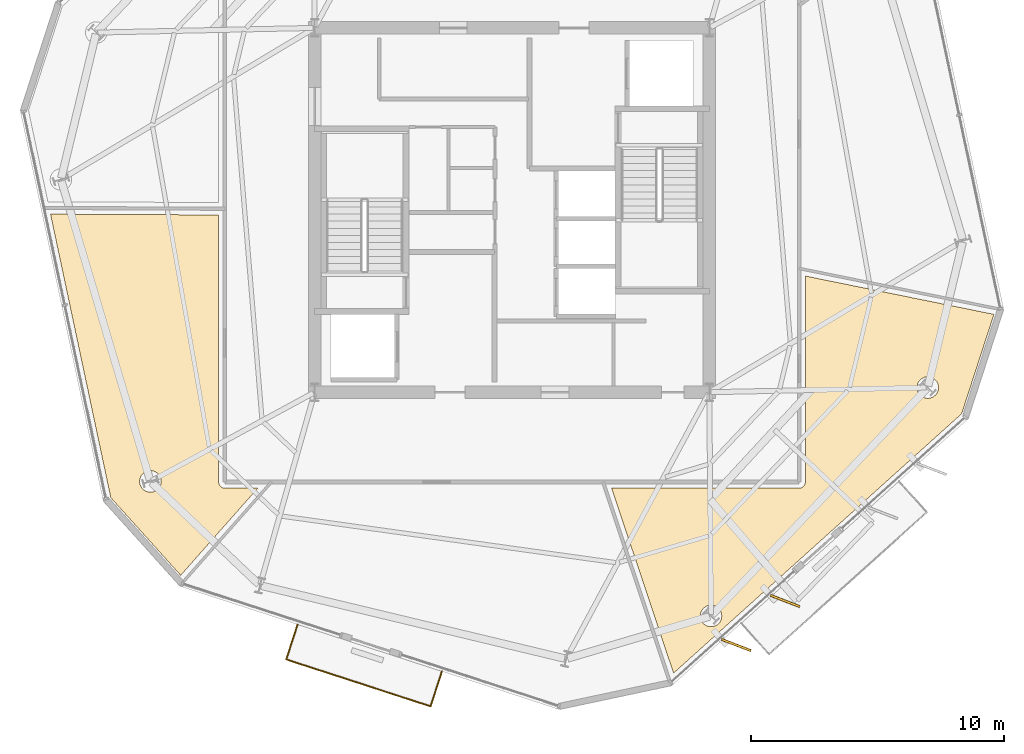
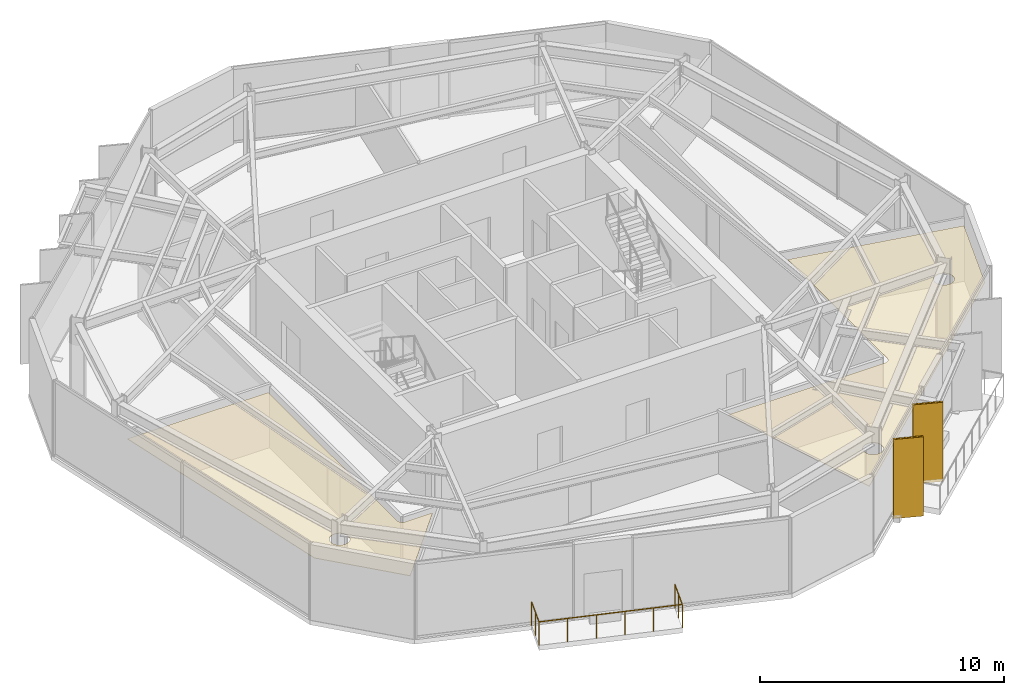
# One storey, part 9 of 11: 4 coverings, 2 shading devices, 1 railing.
"""IFC4 building model written with IfcOpenShell, lengths in metres."""

from ifc_helpers import new_model, si_unit, direction, frame, origin, origin_2d, place, context, subcontext, project, spatial, polyline, rectangle, circle, outline, extrude, material, layer, layer_set, type_object, element, save


model = new_model("IFC4")

# Units and contexts
model_context = context("Model", 3, precision=1e-05, world=origin(), true_north=direction((0.0, 1.0)))
body_context = subcontext(model_context, "Body", "Model", "MODEL_VIEW")
ifc_project = project(units=[si_unit("LENGTHUNIT", "METRE"), si_unit("AREAUNIT", "SQUARE_METRE"), si_unit("VOLUMEUNIT", "CUBIC_METRE"), si_unit("PLANEANGLEUNIT", "RADIAN"), si_unit("MASSUNIT", "GRAM", prefix="KILO")], contexts=[model_context])

# Site, building, storey
site_placement = place(None, origin())
site = spatial("IfcSite", under=ifc_project, at=site_placement, CompositionType="ELEMENT")
building_placement = place(site_placement, origin())
building = spatial("IfcBuilding", under=site, at=building_placement, Name="Kranzbogen Civic Tower", CompositionType="ELEMENT")
storey_placement = place(building_placement, frame((0.0, 0.0, 192.800048828125)))
storey = spatial("IfcBuildingStorey", under=building, at=storey_placement, Name="L46", CompositionType="ELEMENT", Elevation=192.800048828125)

# Coverings
ifc_material_1 = material(Name="Pale Anodised Aluminium", Category="aluminium")
ifc_layer_1 = layer(ifc_material_1, 0.02490234375, Name="Pale Anodised Aluminium")
ifc_layer_set_1 = layer_set([ifc_layer_1], Name="Pale Anodised Aluminium")
covering_type_1 = type_object("IfcCoveringType", Name="Anodised Aluminium Vertical Fin Cladding 25 mm", PredefinedType="CLADDING", material=ifc_layer_set_1)
for number, where, z_axis, x_axis, name in (
    (1, (33.863037109375, 7.80810546875, -0.14013671875), (0.0, 0.0, 1.0), (0.933323744767, -0.359035913878, 0.0), "L46 vertical fin pale-metal cladding F5-1"),
    (2, (35.7958984375, 9.548095703125, -0.14013671875), (0.0, 0.0, 1.0), (0.933323744767, -0.359035913878, 0.0), "L46 vertical fin pale-metal cladding F5-2"),
):
    element("IfcCovering", number, at=place(storey_placement, frame(where, z_axis=z_axis, x_axis=x_axis)), inside=storey, type_object=covering_type_1, Name=name, PredefinedType="CLADDING", context=body_context, shape_type="SweptSolid", body=[
        extrude(rectangle(XDim=1.25, YDim=0.10009765625, at=origin_2d()), origin(), (0.0, 0.0, 1.0), 3.9599609375),
    ])

# Shading devices
ifc_material_2 = material(Name="Anodised Bronze Aluminium", Category="aluminium")
shading_device_type = type_object("IfcShadingDeviceType", Name="Anodised Bronze Vertical Facade Fin 1250x80", PredefinedType="USERDEFINED", material=ifc_material_2)
for number, where, z_axis, x_axis, name in (
    (3, (33.863037109375, 7.80810546875, -0.14013671875), (0.0, 0.0, 1.0), (0.933323744767, -0.359035913878, 0.0), "L46 vertical exterior shading fin F5-1"),
    (4, (35.7958984375, 9.548095703125, -0.14013671875), (0.0, 0.0, 1.0), (0.933323744767, -0.359035913878, 0.0), "L46 vertical exterior shading fin F5-2"),
):
    element("IfcShadingDevice", number, at=place(storey_placement, frame(where, z_axis=z_axis, x_axis=x_axis)), inside=storey, type_object=shading_device_type, Name=name, ObjectType="FIN", PredefinedType="USERDEFINED", context=body_context, shape_type="SweptSolid", body=[
        extrude(rectangle(XDim=1.25, YDim=0.080078125, at=origin_2d()), origin(), (0.0, 0.0, 1.0), 3.9599609375),
    ])

# Railing
railing_type = type_object("IfcRailingType", Name="Cantilevered Balcony Glass and Bronze Balustrade 1200", PredefinedType="BALUSTRADE", material=ifc_material_2)
railing_placement = place(storey_placement, frame((16.52294921875, 8.617919921875, 0.0)))
element("IfcRailing", 5, at=railing_placement, inside=storey, type_object=railing_type, Name="L46 exterior terrace balustrade L46-TB2", PredefinedType="BALUSTRADE", context=body_context, shape_type="SweptSolid", body=[
    extrude(circle(Radius=0.02392578125, at=origin_2d()), frame((0.0, 0.0, 1.17578125), z_axis=(-0.308994689397, -0.951063763333, 0.0), x_axis=(0.951063763333, -0.308994689397, 0.0)), (0.0, 0.0, 1.0), 1.449951171875),
    extrude(circle(Radius=0.02392578125, at=origin_2d()), frame((-0.447998046875, -1.37890625, 1.17578125), z_axis=(0.951056793033, -0.309016142662, 0.0), x_axis=(0.309016142662, 0.951056793033, 0.0)), (0.0, 0.0, 1.0), 5.999755859375),
    extrude(circle(Radius=0.02392578125, at=origin_2d()), frame((5.258056640625, -3.23291015625, 1.17578125), z_axis=(0.308994689397, 0.951063763333, 0.0), x_axis=(-0.951063763333, 0.308994689397, 0.0)), (0.0, 0.0, 1.0), 1.449951171875),
    extrude(circle(Radius=0.02099609375, at=origin_2d()), origin(), (0.0, 0.0, 1.0), 1.15185546875),
    extrude(circle(Radius=0.02099609375, at=origin_2d()), frame((-0.22412109375, -0.689453125, 0.0)), (0.0, 0.0, 1.0), 1.15185546875),
    extrude(circle(Radius=0.02099609375, at=origin_2d()), frame((-0.447998046875, -1.37890625, 0.0)), (0.0, 0.0, 1.0), 1.15185546875),
    extrude(circle(Radius=0.02099609375, at=origin_2d()), frame((0.693115234375, -1.749755859375, 0.0)), (0.0, 0.0, 1.0), 1.15185546875),
    extrude(circle(Radius=0.02099609375, at=origin_2d()), frame((1.83447265625, -2.12060546875, 0.0)), (0.0, 0.0, 1.0), 1.15185546875),
    extrude(circle(Radius=0.02099609375, at=origin_2d()), frame((2.9755859375, -2.4912109375, 0.0)), (0.0, 0.0, 1.0), 1.15185546875),
    extrude(circle(Radius=0.02099609375, at=origin_2d()), frame((4.116943359375, -2.862060546875, 0.0)), (0.0, 0.0, 1.0), 1.15185546875),
    extrude(circle(Radius=0.02099609375, at=origin_2d()), frame((5.258056640625, -3.23291015625, 0.0)), (0.0, 0.0, 1.0), 1.15185546875),
    extrude(circle(Radius=0.02099609375, at=origin_2d()), frame((5.48193359375, -2.54345703125, 0.0)), (0.0, 0.0, 1.0), 1.15185546875),
    extrude(circle(Radius=0.02099609375, at=origin_2d()), frame((5.7060546875, -1.85400390625, 0.0)), (0.0, 0.0, 1.0), 1.15185546875),
])

# Coverings
ifc_material_3 = material(Name="Perforated Acoustic Gypsum Ceiling")
ifc_layer_2 = layer(ifc_material_3, 0.02490234375, Name="Perforated Acoustic Gypsum Ceiling")
ifc_layer_set_2 = layer_set([ifc_layer_2], Name="Perforated Acoustic Gypsum Ceiling")
covering_type_2 = type_object("IfcCoveringType", Name="Perforated Acoustic Mineral Ceiling Tile 25 mm", PredefinedType="CEILING", material=ifc_layer_set_2)
covering_1_placement = place(storey_placement, frame((0.0, 0.0, 2.89990234375)))
element("IfcCovering", 6, at=covering_1_placement, inside=storey, type_object=covering_type_2, Name="L46 Civic Reference Library acoustic ceiling", PredefinedType="CEILING", context=body_context, shape_type="SweptSolid", body=[
    extrude(outline(polyline([(6.760009765625, 24.837890625), (13.405029296875, 24.80810546875), (13.405029296875, 14.25), (13.405029296875, 14.240966796875), (13.406005859375, 14.235107421875), (13.406982421875, 14.217041015625), (13.407958984375, 14.2109375), (13.412109375, 14.194091796875), (13.4130859375, 14.18701171875), (13.41796875, 14.169921875), (13.419921875, 14.1640625), (13.427001953125, 14.14794921875), (13.429931640625, 14.14208984375), (13.43798828125, 14.126953125), (13.44189453125, 14.12109375), (13.450927734375, 14.10693359375), (13.455078125, 14.10205078125), (13.466064453125, 14.087890625), (13.470947265625, 14.0830078125), (13.48291015625, 14.071044921875), (13.488037109375, 14.06591796875), (13.501953125, 14.054931640625), (13.507080078125, 14.051025390625), (13.52099609375, 14.0419921875), (13.527099609375, 14.0380859375), (13.5419921875, 14.030029296875), (13.548095703125, 14.027099609375), (13.56396484375, 14.02001953125), (13.570068359375, 14.01806640625), (13.5869140625, 14.012939453125), (13.593994140625, 14.011962890625), (13.611083984375, 14.008056640625), (13.616943359375, 14.007080078125), (13.635009765625, 14.006103515625), (13.64111328125, 14.0048828125), (13.64990234375, 14.0048828125), (14.948974609375, 14.0048828125), (11.905029296875, 10.56298828125), (9.14208984375, 13.632080078125), (6.760009765625, 24.837890625)]), holes=[polyline([(11.10009765625, 14.113037109375), (11.08203125, 14.074951171875), (11.06103515625, 14.0400390625), (11.035888671875, 14.006103515625), (11.008056640625, 13.97509765625), (10.97705078125, 13.947021484375), (10.943115234375, 13.922119140625), (10.907958984375, 13.90087890625), (10.8701171875, 13.883056640625), (10.8310546875, 13.868896484375), (10.7900390625, 13.85888671875), (10.7490234375, 13.85302734375), (10.70703125, 13.85107421875), (10.6650390625, 13.85302734375), (10.6240234375, 13.85888671875), (10.5830078125, 13.868896484375), (10.5439453125, 13.883056640625), (10.506103515625, 13.90087890625), (10.470947265625, 13.922119140625), (10.43701171875, 13.947021484375), (10.406005859375, 13.97509765625), (10.3779296875, 14.006103515625), (10.35302734375, 14.0400390625), (10.33203125, 14.074951171875), (10.31396484375, 14.113037109375), (10.300048828125, 14.152099609375), (10.2900390625, 14.193115234375), (10.283935546875, 14.23388671875), (10.281982421875, 14.27587890625), (10.283935546875, 14.318115234375), (10.2900390625, 14.35888671875), (10.300048828125, 14.39990234375), (10.31396484375, 14.43896484375), (10.33203125, 14.47705078125), (10.35302734375, 14.511962890625), (10.3779296875, 14.5458984375), (10.406005859375, 14.576904296875), (10.43701171875, 14.60498046875), (10.470947265625, 14.6298828125), (10.506103515625, 14.65087890625), (10.5439453125, 14.6689453125), (10.5830078125, 14.68310546875), (10.6240234375, 14.693115234375), (10.6650390625, 14.698974609375), (10.70703125, 14.700927734375), (10.7490234375, 14.698974609375), (10.7900390625, 14.693115234375), (10.8310546875, 14.68310546875), (10.8701171875, 14.6689453125), (10.907958984375, 14.65087890625), (10.943115234375, 14.6298828125), (10.97705078125, 14.60498046875), (11.008056640625, 14.576904296875), (11.035888671875, 14.5458984375), (11.06103515625, 14.511962890625), (11.08203125, 14.47705078125), (11.10009765625, 14.43896484375), (11.114013671875, 14.39990234375), (11.1240234375, 14.35888671875), (11.1298828125, 14.318115234375), (11.132080078125, 14.27587890625), (11.1298828125, 14.23388671875), (11.1240234375, 14.193115234375), (11.114013671875, 14.152099609375), (11.10009765625, 14.113037109375)])]), origin(), (0.0, 0.0, 1.0), 0.025146484375),
])
covering_2_placement = place(storey_placement, frame((0.0, 0.0, 2.89990234375)))
element("IfcCovering", 7, at=covering_2_placement, inside=storey, type_object=covering_type_2, Name="L46 Cultural Screening Clubroom acoustic ceiling", PredefinedType="CEILING", context=body_context, shape_type="SweptSolid", body=[
    extrude(outline(polyline([(31.385986328125, 6.697021484375), (28.93896484375, 14.0048828125), (36.35009765625, 14.0048828125), (36.35888671875, 14.0048828125), (36.364990234375, 14.006103515625), (36.383056640625, 14.007080078125), (36.388916015625, 14.008056640625), (36.406005859375, 14.011962890625), (36.4130859375, 14.012939453125), (36.429931640625, 14.01806640625), (36.43603515625, 14.02001953125), (36.451904296875, 14.027099609375), (36.4580078125, 14.030029296875), (36.472900390625, 14.0380859375), (36.47900390625, 14.0419921875), (36.492919921875, 14.051025390625), (36.498046875, 14.054931640625), (36.511962890625, 14.06591796875), (36.51708984375, 14.071044921875), (36.529052734375, 14.0830078125), (36.533935546875, 14.087890625), (36.544921875, 14.10205078125), (36.549072265625, 14.10693359375), (36.55810546875, 14.12109375), (36.56201171875, 14.126953125), (36.570068359375, 14.14208984375), (36.572998046875, 14.14794921875), (36.580078125, 14.1640625), (36.58203125, 14.169921875), (36.5869140625, 14.18701171875), (36.587890625, 14.194091796875), (36.592041015625, 14.2109375), (36.593017578125, 14.217041015625), (36.593994140625, 14.235107421875), (36.594970703125, 14.240966796875), (36.594970703125, 14.25), (36.594970703125, 22.39306640625), (44.050048828125, 20.8779296875), (42.77392578125, 16.949951171875), (31.385986328125, 6.697021484375)]), holes=[polyline([(33.260009765625, 8.79296875), (33.241943359375, 8.7548828125), (33.220947265625, 8.719970703125), (33.196044921875, 8.68603515625), (33.16796875, 8.655029296875), (33.136962890625, 8.626953125), (33.10302734375, 8.60205078125), (33.068115234375, 8.5810546875), (33.030029296875, 8.56298828125), (32.990966796875, 8.549072265625), (32.949951171875, 8.5390625), (32.908935546875, 8.532958984375), (32.866943359375, 8.531005859375), (32.824951171875, 8.532958984375), (32.783935546875, 8.5390625), (32.742919921875, 8.549072265625), (32.7041015625, 8.56298828125), (32.666015625, 8.5810546875), (32.631103515625, 8.60205078125), (32.596923828125, 8.626953125), (32.56591796875, 8.655029296875), (32.5380859375, 8.68603515625), (32.512939453125, 8.719970703125), (32.491943359375, 8.7548828125), (32.47412109375, 8.79296875), (32.4599609375, 8.83203125), (32.449951171875, 8.873046875), (32.444091796875, 8.9140625), (32.44189453125, 8.9560546875), (32.444091796875, 8.998046875), (32.449951171875, 9.0390625), (32.4599609375, 9.080078125), (32.47412109375, 9.118896484375), (32.491943359375, 9.156982421875), (32.512939453125, 9.19189453125), (32.5380859375, 9.22607421875), (32.56591796875, 9.257080078125), (32.596923828125, 9.284912109375), (32.631103515625, 9.31005859375), (32.666015625, 9.3310546875), (32.7041015625, 9.34912109375), (32.742919921875, 9.363037109375), (32.783935546875, 9.373046875), (32.824951171875, 9.37890625), (32.866943359375, 9.381103515625), (32.908935546875, 9.37890625), (32.949951171875, 9.373046875), (32.990966796875, 9.363037109375), (33.030029296875, 9.34912109375), (33.068115234375, 9.3310546875), (33.10302734375, 9.31005859375), (33.136962890625, 9.284912109375), (33.16796875, 9.257080078125), (33.196044921875, 9.22607421875), (33.220947265625, 9.19189453125), (33.241943359375, 9.156982421875), (33.260009765625, 9.118896484375), (33.27392578125, 9.080078125), (33.283935546875, 9.0390625), (33.2900390625, 8.998046875), (33.2919921875, 8.9560546875), (33.2900390625, 8.9140625), (33.283935546875, 8.873046875), (33.27392578125, 8.83203125), (33.260009765625, 8.79296875)]), polyline([(41.825927734375, 17.821044921875), (41.80810546875, 17.782958984375), (41.787109375, 17.748046875), (41.761962890625, 17.714111328125), (41.73388671875, 17.68310546875), (41.702880859375, 17.655029296875), (41.6689453125, 17.6298828125), (41.634033203125, 17.60888671875), (41.595947265625, 17.591064453125), (41.556884765625, 17.576904296875), (41.51611328125, 17.56689453125), (41.47509765625, 17.56103515625), (41.43310546875, 17.55908203125), (41.39111328125, 17.56103515625), (41.35009765625, 17.56689453125), (41.30908203125, 17.576904296875), (41.27001953125, 17.591064453125), (41.23193359375, 17.60888671875), (41.197021484375, 17.6298828125), (41.1630859375, 17.655029296875), (41.132080078125, 17.68310546875), (41.10400390625, 17.714111328125), (41.0791015625, 17.748046875), (41.05810546875, 17.782958984375), (41.0400390625, 17.821044921875), (41.02587890625, 17.860107421875), (41.01611328125, 17.90087890625), (41.010009765625, 17.94189453125), (41.008056640625, 17.98388671875), (41.010009765625, 18.02587890625), (41.01611328125, 18.06689453125), (41.02587890625, 18.10791015625), (41.0400390625, 18.14697265625), (41.05810546875, 18.18505859375), (41.0791015625, 18.219970703125), (41.10400390625, 18.25390625), (41.132080078125, 18.284912109375), (41.1630859375, 18.31298828125), (41.197021484375, 18.337890625), (41.23193359375, 18.35888671875), (41.27001953125, 18.376953125), (41.30908203125, 18.39111328125), (41.35009765625, 18.40087890625), (41.39111328125, 18.406982421875), (41.43310546875, 18.408935546875), (41.47509765625, 18.406982421875), (41.51611328125, 18.40087890625), (41.556884765625, 18.39111328125), (41.595947265625, 18.376953125), (41.634033203125, 18.35888671875), (41.6689453125, 18.337890625), (41.702880859375, 18.31298828125), (41.73388671875, 18.284912109375), (41.761962890625, 18.25390625), (41.787109375, 18.219970703125), (41.80810546875, 18.18505859375), (41.825927734375, 18.14697265625), (41.840087890625, 18.10791015625), (41.85009765625, 18.06689453125), (41.85595703125, 18.02587890625), (41.85791015625, 17.98388671875), (41.85595703125, 17.94189453125), (41.85009765625, 17.90087890625), (41.840087890625, 17.860107421875), (41.825927734375, 17.821044921875)])]), origin(), (0.0, 0.0, 1.0), 0.025146484375),
])

save(model, "model.ifc")
